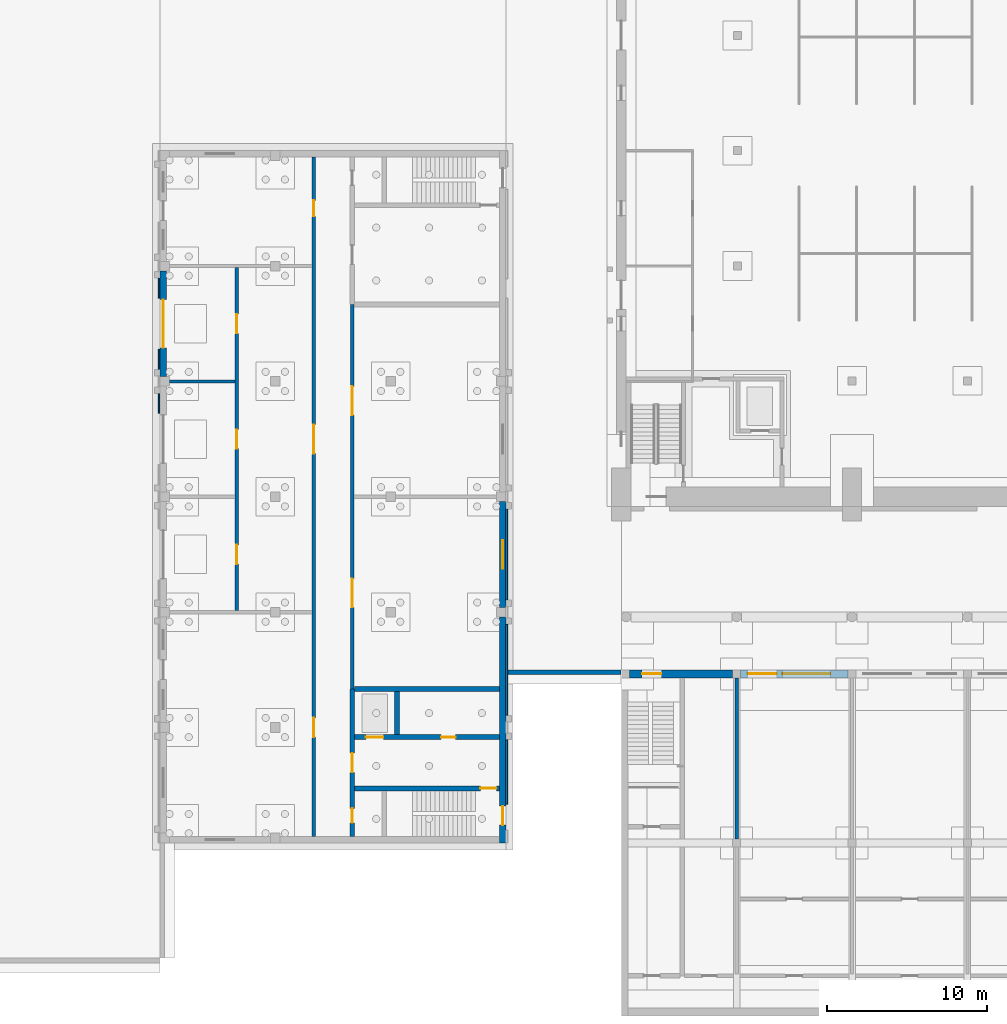
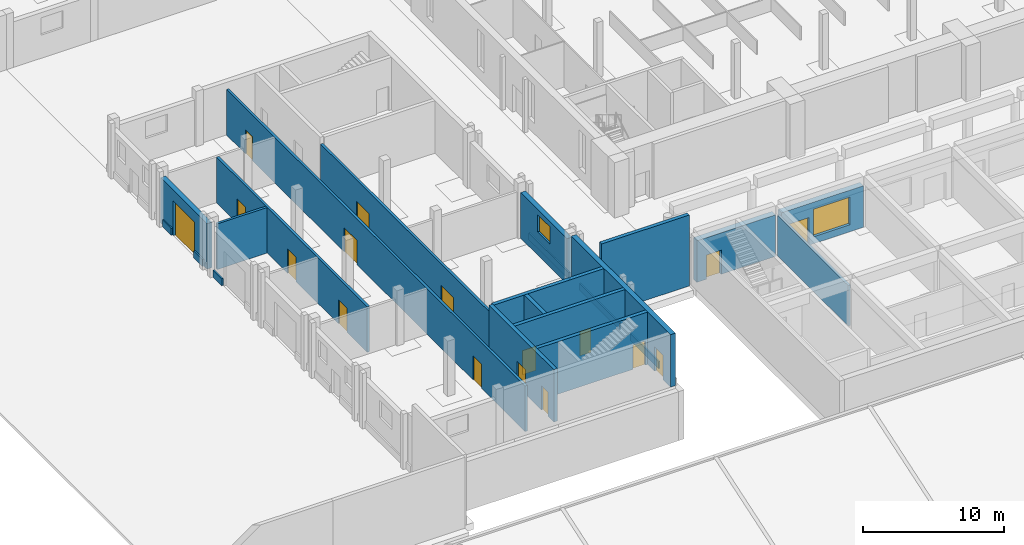
# One storey, part 29 of 73: 22 walls, 17 doors, 2 windows, 19 openings.
"""IFC4 building model written with IfcOpenShell, lengths in metres."""

from ifc_helpers import new_model, si_unit, direction, frame, frame_2d, origin, place, context, subcontext, project, spatial, rectangle, extrude, material, layer, layer_set, type_object, element, fill, save


model = new_model("IFC4")

# Units and contexts
model_context = context("Model", 3, precision=1e-05, world=origin(), true_north=direction((0.0, 1.0)))
body_context = subcontext(model_context, "Body", "Model", "MODEL_VIEW")
ifc_project = project(units=[si_unit("LENGTHUNIT", "METRE"), si_unit("AREAUNIT", "SQUARE_METRE"), si_unit("VOLUMEUNIT", "CUBIC_METRE"), si_unit("PLANEANGLEUNIT", "RADIAN"), si_unit("MASSUNIT", "GRAM", prefix="KILO")], contexts=[model_context])

# Site, building, storey
site_placement = place(None, origin())
site = spatial("IfcSite", under=ifc_project, at=site_placement, CompositionType="ELEMENT")
building_placement = place(site_placement, origin())
building = spatial("IfcBuilding", under=site, at=building_placement, Name="Alderwick Market Hall", CompositionType="ELEMENT")
storey_placement = place(building_placement, origin())
storey = spatial("IfcBuildingStorey", under=building, at=storey_placement, Name="LG", CompositionType="ELEMENT", Elevation=0.0)

# Wall, opening, door
ifc_material_1 = material(Name="Cast stone 5000 psi", Category="masonry")
ifc_layer_1 = layer(ifc_material_1, 0.5)
ifc_layer_set_1 = layer_set([ifc_layer_1], Name="Cast stone 5000 psi")
wall_type_1 = type_object("IfcWallType", Name="A Cast Stone Shopfront Wall 500", PredefinedType="SOLIDWALL", material=ifc_layer_set_1)
wall_1_placement = place(storey_placement, frame((50.89990234375, 39.35009765625, 0.0), z_axis=(0.0, 0.0, 1.0), x_axis=(1.0, 0.0, 0.0)))
wall_1 = element("IfcWall", 1, at=wall_1_placement, inside=storey, type_object=wall_type_1, Name="A.S.wall.009", PredefinedType="SOLIDWALL", context=body_context, shape_type="SweptSolid", body=[
    extrude(rectangle(XDim=6.4501953125, YDim=0.5, at=frame_2d((3.22509765625, 0.0))), origin(), (0.0, 0.0, 1.0), 3.60009765625),
])
opening_1_placement = place(wall_1_placement, frame((0.800048828125, 0.0, 0.0)))
opening_1 = element("IfcOpeningElement", 2, at=opening_1_placement, cuts=wall_1, Name="Opening A-D016", PredefinedType="OPENING", context=body_context, shape_type="SweptSolid", body=[
    extrude(rectangle(XDim=1.199951171875, YDim=2.10009765625, at=frame_2d((0.60009765625, 1.050048828125))), frame((0.0, 0.260009765625, 0.0), z_axis=(0.0, -1.0, 0.0), x_axis=(1.0, 0.0, 0.0)), (0.0, 0.0, 1.0), 0.52001953125),
])
ifc_material_2 = material(Name="Hollow metal door and frame")
door_type_1 = type_object("IfcDoorType", Name="A Door 1200x2100", OperationType="SINGLE_SWING_LEFT", PredefinedType="DOOR", material=ifc_material_2)
door_1_placement = place(opening_1_placement, origin())
door_1 = element("IfcDoor", 3, at=door_1_placement, inside=storey, type_object=door_type_1, Name="Roof Stair A1 door", OperationType="SINGLE_SWING_RIGHT", OverallHeight=2.10009765625, OverallWidth=1.199951171875, PredefinedType="DOOR", context=body_context, shape_type="SweptSolid", body=[
    extrude(rectangle(XDim=1.199951171875, YDim=2.10009765625, at=frame_2d((0.60009765625, 1.050048828125))), frame((0.0, 0.02490234375, 0.0), z_axis=(0.0, -1.0, 0.0), x_axis=(1.0, 0.0, 0.0)), (0.0, 0.0, 1.0), 0.050048828125),
])
fill(opening_1, door_1)

# Wall, openings, door, window
wall_2_placement = place(storey_placement, frame((57.85009765625, 39.35009765625, 0.0), z_axis=(0.0, 0.0, 1.0), x_axis=(1.0, 0.0, 0.0)))
wall_2 = element("IfcWall", 4, at=wall_2_placement, inside=storey, type_object=wall_type_1, Name="A.S.wall.010", PredefinedType="SOLIDWALL", context=body_context, shape_type="SweptSolid", body=[
    extrude(rectangle(XDim=6.699951171875, YDim=0.5, at=frame_2d((3.35009765625, 0.0))), origin(), (0.0, 0.0, 1.0), 3.60009765625),
])
opening_2_placement = place(wall_2_placement, frame((0.449951171875, 0.0, 0.0)))
opening_2 = element("IfcOpeningElement", 5, at=opening_2_placement, cuts=wall_2, Name="Opening A-D018", PredefinedType="OPENING", context=body_context, shape_type="SweptSolid", body=[
    extrude(rectangle(XDim=1.800048828125, YDim=2.39990234375, at=frame_2d((0.89990234375, 1.199951171875))), frame((0.0, 0.260009765625, 0.0), z_axis=(0.0, -1.0, 0.0), x_axis=(1.0, 0.0, 0.0)), (0.0, 0.0, 1.0), 0.52001953125),
])
opening_3_placement = place(wall_2_placement, frame((2.60009765625, 0.0, 0.60009765625)))
opening_3 = element("IfcOpeningElement", 6, at=opening_3_placement, cuts=wall_2, Name="Opening A-W012", PredefinedType="OPENING", context=body_context, shape_type="SweptSolid", body=[
    extrude(rectangle(XDim=3.0, YDim=2.39990234375, at=frame_2d((1.5, 1.199951171875))), frame((0.0, 0.260009765625, 0.0), z_axis=(0.0, -1.0, 0.0), x_axis=(1.0, 0.0, 0.0)), (0.0, 0.0, 1.0), 0.52001953125),
])
ifc_material_3 = material(Name="Aluminium frame and glass", Category="aluminium")
door_type_2 = type_object("IfcDoorType", Name="A Shop Double Door 1800x2400", OperationType="DOUBLE_DOOR_DOUBLE_SWING", PredefinedType="DOOR", material=ifc_material_3)
door_2_placement = place(opening_2_placement, origin())
door_2 = element("IfcDoor", 7, at=door_2_placement, inside=storey, type_object=door_type_2, Name="Cheese Shop entrance", OperationType="DOUBLE_DOOR_DOUBLE_SWING", OverallHeight=2.39990234375, OverallWidth=1.800048828125, PredefinedType="DOOR", context=body_context, shape_type="SweptSolid", body=[
    extrude(rectangle(XDim=1.800048828125, YDim=2.39990234375, at=frame_2d((0.89990234375, 1.199951171875))), frame((0.0, 0.02490234375, 0.0), z_axis=(0.0, -1.0, 0.0), x_axis=(1.0, 0.0, 0.0)), (0.0, 0.0, 1.0), 0.050048828125),
])
fill(opening_2, door_2)
ifc_material_4 = material(Name="Aluminium frame", Category="aluminium")
window_type_1 = type_object("IfcWindowType", Name="A Shopfront Window 3000x2400", PartitioningType="SINGLE_PANEL", PredefinedType="WINDOW", material=ifc_material_4)
window_1_placement = place(opening_3_placement, origin())
window_1 = element("IfcWindow", 8, at=window_1_placement, inside=storey, type_object=window_type_1, Name="Window A-W012", OverallHeight=2.39990234375, OverallWidth=3.0, PartitioningType="SINGLE_PANEL", PredefinedType="WINDOW", context=body_context, shape_type="SweptSolid", body=[
    extrude(rectangle(XDim=3.0, YDim=2.39990234375, at=frame_2d((1.5, 1.199951171875))), frame((0.0, 0.030029296875, 0.0), z_axis=(0.0, -1.0, 0.0), x_axis=(1.0, 0.0, 0.0)), (0.0, 0.0, 1.0), 0.06005859375),
])
fill(opening_3, window_1)

# Walls
ifc_material_5 = material(Name="Concrete masonry 3000 psi", Category="masonry")
ifc_layer_2 = layer(ifc_material_5, 0.199951171875)
ifc_layer_set_2 = layer_set([ifc_layer_2], Name="Concrete masonry 3000 psi")
wall_type_2 = type_object("IfcWallType", Name="A Masonry Partition 200", PredefinedType="PARTITIONING", material=ifc_layer_set_2)
wall_3_placement = place(storey_placement, frame((57.60009765625, 29.050048828125, 0.0), z_axis=(0.0, 0.0, 1.0), x_axis=(0.0, 1.0, 0.0)))
element("IfcWall", 9, at=wall_3_placement, inside=storey, type_object=wall_type_2, Name="A.S.wall.026", PredefinedType="PARTITIONING", context=body_context, shape_type="SweptSolid", body=[
    extrude(rectangle(XDim=10.050048828125, YDim=0.199951171875, at=frame_2d((5.02490234375, 0.0))), origin(), (0.0, 0.0, 1.0), 3.5),
])
ifc_layer_3 = layer(ifc_material_1, 0.1201171875)
ifc_layer_set_3 = layer_set([ifc_layer_3], Name="Cast stone 5000 psi")
wall_type_3 = type_object("IfcWallType", Name="B Cast Stone Base Course 120", PredefinedType="SOLIDWALL", material=ifc_layer_set_3)
for number, where, z_axis, x_axis, name in (
    (10, (21.5400390625, 55.60009765625, 0.0), (0.0, 0.0, 1.0), (0.0, 1.0, 0.0), "B.S.base.W.10"),
    (11, (21.5400390625, 58.35009765625, 0.0), (0.0, 0.0, 1.0), (0.0, 1.0, 0.0), "B.S.base.W.12"),
    (12, (21.5400390625, 62.800048828125, 0.0), (0.0, 0.0, 1.0), (0.0, 1.0, 0.0), "B.S.base.W.13"),
):
    element("IfcWall", number, at=place(storey_placement, frame(where, z_axis=z_axis, x_axis=x_axis)), inside=storey, type_object=wall_type_3, Name=name, PredefinedType="SOLIDWALL", context=body_context, shape_type="SweptSolid", body=[
        extrude(rectangle(XDim=1.25, YDim=0.1201171875, at=frame_2d((0.625, 0.0))), origin(), (0.0, 0.0, 1.0), 0.60009765625),
    ])
wall_4_placement = place(storey_placement, frame((43.260009765625, 31.199951171875, 0.0), z_axis=(0.0, 0.0, 1.0), x_axis=(0.0, 1.0, 0.0)))
element("IfcWall", 13, at=wall_4_placement, inside=storey, type_object=wall_type_3, Name="B.S.base.E.01", PredefinedType="SOLIDWALL", context=body_context, shape_type="SweptSolid", body=[
    extrude(rectangle(XDim=4.050048828125, YDim=0.1201171875, at=frame_2d((2.02490234375, 0.0))), origin(), (0.0, 0.0, 1.0), 0.60009765625),
])
for number, where, z_axis, x_axis, name in (
    (14, (43.260009765625, 36.75, 0.0), (0.0, 0.0, 1.0), (0.0, 1.0, 0.0), "B.S.base.E.03"),
    (15, (43.260009765625, 43.949951171875, 0.0), (0.0, 0.0, 1.0), (0.0, 1.0, 0.0), "B.S.base.E.05"),
):
    element("IfcWall", number, at=place(storey_placement, frame(where, z_axis=z_axis, x_axis=x_axis)), inside=storey, type_object=wall_type_3, Name=name, PredefinedType="SOLIDWALL", context=body_context, shape_type="SweptSolid", body=[
        extrude(rectangle(XDim=5.699951171875, YDim=0.1201171875, at=frame_2d((2.85009765625, 0.0))), origin(), (0.0, 0.0, 1.0), 0.60009765625),
    ])

# Wall, opening, door
ifc_layer_4 = layer(ifc_material_1, 0.39990234375)
ifc_layer_set_4 = layer_set([ifc_layer_4], Name="Cast stone 5000 psi")
wall_type_4 = type_object("IfcWallType", Name="B Cast Stone Base Wall 400", PredefinedType="SOLIDWALL", material=ifc_layer_set_4)
wall_5_placement = place(storey_placement, frame((21.800048828125, 57.89990234375, 0.0), z_axis=(0.0, 0.0, 1.0), x_axis=(0.0, 1.0, 0.0)))
wall_5 = element("IfcWall", 16, at=wall_5_placement, inside=storey, type_object=wall_type_4, Name="B.S.wall.LG.021", PredefinedType="SOLIDWALL", context=body_context, shape_type="SweptSolid", body=[
    extrude(rectangle(XDim=6.60009765625, YDim=0.39990234375, at=frame_2d((3.300048828125, 0.0))), origin(), (0.0, 0.0, 1.0), 3.949951171875),
])
opening_4_placement = place(wall_5_placement, frame((1.800048828125, 0.0, 0.0)))
opening_4 = element("IfcOpeningElement", 17, at=opening_4_placement, cuts=wall_5, Name="Opening B-D013", PredefinedType="OPENING", context=body_context, shape_type="SweptSolid", body=[
    extrude(rectangle(XDim=3.0, YDim=3.0, at=frame_2d((1.5, 1.5))), frame((0.0, 0.2099609375, 0.0), z_axis=(0.0, -1.0, 0.0), x_axis=(1.0, 0.0, 0.0)), (0.0, 0.0, 1.0), 0.419921875),
])
ifc_material_6 = material(Name="Insulated steel sectional door", Category="steel")
door_type_3 = type_object("IfcDoorType", Name="B Sectional Dock Door 3000x3000", OperationType="ROLLINGUP", PredefinedType="DOOR", material=ifc_material_6)
door_3_placement = place(opening_4_placement, origin())
door_3 = element("IfcDoor", 18, at=door_3_placement, inside=storey, type_object=door_type_3, Name="Loading dock door", OperationType="ROLLINGUP", OverallHeight=3.0, OverallWidth=3.0, PredefinedType="DOOR", context=body_context, shape_type="SweptSolid", body=[
    extrude(rectangle(XDim=3.0, YDim=3.0, at=frame_2d((1.5, 1.5))), frame((0.0, 0.02490234375, 0.0), z_axis=(0.0, -1.0, 0.0), x_axis=(1.0, 0.0, 0.0)), (0.0, 0.0, 1.0), 0.050048828125),
])
fill(opening_4, door_3)

# Wall, opening, window
wall_6_placement = place(storey_placement, frame((43.0, 43.5, 0.0), z_axis=(0.0, 0.0, 1.0), x_axis=(0.0, 1.0, 0.0)))
wall_6 = element("IfcWall", 19, at=wall_6_placement, inside=storey, type_object=wall_type_4, Name="B.S.wall.LG.032", PredefinedType="SOLIDWALL", context=body_context, shape_type="SweptSolid", body=[
    extrude(rectangle(XDim=6.60009765625, YDim=0.39990234375, at=frame_2d((3.300048828125, 0.0))), origin(), (0.0, 0.0, 1.0), 3.949951171875),
])
opening_5_placement = place(wall_6_placement, frame((2.39990234375, 0.0, 2.0)))
opening_5 = element("IfcOpeningElement", 20, at=opening_5_placement, cuts=wall_6, Name="Opening B-W072", PredefinedType="OPENING", context=body_context, shape_type="SweptSolid", body=[
    extrude(rectangle(XDim=1.800048828125, YDim=1.5, at=frame_2d((0.89990234375, 0.75))), frame((0.0, 0.2099609375, 0.0), z_axis=(0.0, -1.0, 0.0), x_axis=(1.0, 0.0, 0.0)), (0.0, 0.0, 1.0), 0.419921875),
])
window_type_2 = type_object("IfcWindowType", Name="B Window 1800x1500", PartitioningType="SINGLE_PANEL", PredefinedType="WINDOW", material=ifc_material_4)
window_2_placement = place(opening_5_placement, origin())
window_2 = element("IfcWindow", 21, at=window_2_placement, inside=storey, type_object=window_type_2, Name="Window B-W072", OverallHeight=1.5, OverallWidth=1.800048828125, PartitioningType="SINGLE_PANEL", PredefinedType="WINDOW", context=body_context, shape_type="SweptSolid", body=[
    extrude(rectangle(XDim=1.800048828125, YDim=1.5, at=frame_2d((0.89990234375, 0.75))), frame((0.0, 0.030029296875, 0.0), z_axis=(0.0, -1.0, 0.0), x_axis=(1.0, 0.0, 0.0)), (0.0, 0.0, 1.0), 0.06005859375),
])
fill(opening_5, window_2)

# Wall, openings, doors
ifc_material_7 = material(Name="Insulated metal panel, ASTM A653 Grade 50 steel faced", Category="steel")
ifc_layer_5 = layer(ifc_material_7, 0.199951171875)
ifc_layer_set_5 = layer_set([ifc_layer_5], Name="Insulated metal panel, ASTM A653 Grade 50 steel faced")
wall_type_5 = type_object("IfcWallType", Name="B Insulated Cold Store Wall 200", PredefinedType="PARTITIONING", material=ifc_layer_set_5)
wall_7_placement = place(storey_placement, frame((33.60009765625, 38.39990234375, 0.0), z_axis=(0.0, 0.0, 1.0), x_axis=(0.0, 1.0, 0.0)))
wall_7 = element("IfcWall", 22, at=wall_7_placement, inside=storey, type_object=wall_type_5, Name="B.S.wall.LG.026", PredefinedType="PARTITIONING", context=body_context, shape_type="SweptSolid", body=[
    extrude(rectangle(XDim=24.0, YDim=0.199951171875, at=frame_2d((12.0, 0.0))), origin(), (0.0, 0.0, 1.0), 3.949951171875),
])
opening_6_placement = place(wall_7_placement, frame((5.10009765625, 0.0, 0.0)))
opening_6 = element("IfcOpeningElement", 23, at=opening_6_placement, cuts=wall_7, Name="Opening B-D088", PredefinedType="OPENING", context=body_context, shape_type="SweptSolid", body=[
    extrude(rectangle(XDim=1.800048828125, YDim=2.10009765625, at=frame_2d((0.89990234375, 1.050048828125))), frame((0.0, 0.10986328125, 0.0), z_axis=(0.0, -1.0, 0.0), x_axis=(1.0, 0.0, 0.0)), (0.0, 0.0, 1.0), 0.219970703125),
])
opening_7_placement = place(wall_7_placement, frame((17.10009765625, 0.0, 0.0)))
opening_7 = element("IfcOpeningElement", 24, at=opening_7_placement, cuts=wall_7, Name="Opening B-D089", PredefinedType="OPENING", context=body_context, shape_type="SweptSolid", body=[
    extrude(rectangle(XDim=1.800048828125, YDim=2.10009765625, at=frame_2d((0.89990234375, 1.050048828125))), frame((0.0, 0.10986328125, 0.0), z_axis=(0.0, -1.0, 0.0), x_axis=(1.0, 0.0, 0.0)), (0.0, 0.0, 1.0), 0.219970703125),
])
door_type_4 = type_object("IfcDoorType", Name="B Double Door 1800x2100", OperationType="DOUBLE_DOOR_DOUBLE_SWING", PredefinedType="DOOR", material=ifc_material_2)
door_4_placement = place(opening_6_placement, origin())
door_4 = element("IfcDoor", 25, at=door_4_placement, inside=storey, type_object=door_type_4, Name="Dry Store door", OperationType="DOUBLE_DOOR_DOUBLE_SWING", OverallHeight=2.10009765625, OverallWidth=1.800048828125, PredefinedType="DOOR", context=body_context, shape_type="SweptSolid", body=[
    extrude(rectangle(XDim=1.800048828125, YDim=2.10009765625, at=frame_2d((0.89990234375, 1.050048828125))), frame((0.0, 0.02490234375, 0.0), z_axis=(0.0, -1.0, 0.0), x_axis=(1.0, 0.0, 0.0)), (0.0, 0.0, 1.0), 0.050048828125),
])
fill(opening_6, door_4)
door_5_placement = place(opening_7_placement, origin())
door_5 = element("IfcDoor", 26, at=door_5_placement, inside=storey, type_object=door_type_4, Name="Cold Store door", OperationType="DOUBLE_DOOR_DOUBLE_SWING", OverallHeight=2.10009765625, OverallWidth=1.800048828125, PredefinedType="DOOR", context=body_context, shape_type="SweptSolid", body=[
    extrude(rectangle(XDim=1.800048828125, YDim=2.10009765625, at=frame_2d((0.89990234375, 1.050048828125))), frame((0.0, 0.02490234375, 0.0), z_axis=(0.0, -1.0, 0.0), x_axis=(1.0, 0.0, 0.0)), (0.0, 0.0, 1.0), 0.050048828125),
])
fill(opening_7, door_5)

# Wall
ifc_layer_6 = layer(ifc_material_5, 0.199951171875)
ifc_layer_set_6 = layer_set([ifc_layer_6], Name="Concrete masonry 3000 psi")
wall_type_6 = type_object("IfcWallType", Name="B Masonry Partition 200", PredefinedType="PARTITIONING", material=ifc_layer_set_6)
wall_8_placement = place(storey_placement, frame((22.199951171875, 57.60009765625, 0.0), z_axis=(0.0, 0.0, 1.0), x_axis=(1.0, 0.0, 0.0)))
element("IfcWall", 27, at=wall_8_placement, inside=storey, type_object=wall_type_6, Name="B.S.wall.LG.010", PredefinedType="PARTITIONING", context=body_context, shape_type="SweptSolid", body=[
    extrude(rectangle(XDim=4.10009765625, YDim=0.199951171875, at=frame_2d((2.050048828125, 0.0))), origin(), (0.0, 0.0, 1.0), 3.949951171875),
])

# Wall, openings, doors
wall_9_placement = place(storey_placement, frame((26.39990234375, 43.300048828125, 0.0), z_axis=(0.0, 0.0, 1.0), x_axis=(0.0, 1.0, 0.0)))
wall_9 = element("IfcWall", 28, at=wall_9_placement, inside=storey, type_object=wall_type_6, Name="B.S.wall.LG.023", PredefinedType="PARTITIONING", context=body_context, shape_type="SweptSolid", body=[
    extrude(rectangle(XDim=21.39990234375, YDim=0.199951171875, at=frame_2d((10.699951171875, 0.0))), origin(), (0.0, 0.0, 1.0), 3.949951171875),
])
opening_8_placement = place(wall_9_placement, frame((2.89990234375, 0.0, 0.0)))
opening_8 = element("IfcOpeningElement", 29, at=opening_8_placement, cuts=wall_9, Name="Opening B-D084", PredefinedType="OPENING", context=body_context, shape_type="SweptSolid", body=[
    extrude(rectangle(XDim=1.199951171875, YDim=2.10009765625, at=frame_2d((0.60009765625, 1.050048828125))), frame((0.0, 0.10986328125, 0.0), z_axis=(0.0, -1.0, 0.0), x_axis=(1.0, 0.0, 0.0)), (0.0, 0.0, 1.0), 0.219970703125),
])
opening_9_placement = place(wall_9_placement, frame((10.10009765625, 0.0, 0.0)))
opening_9 = element("IfcOpeningElement", 30, at=opening_9_placement, cuts=wall_9, Name="Opening B-D085", PredefinedType="OPENING", context=body_context, shape_type="SweptSolid", body=[
    extrude(rectangle(XDim=1.199951171875, YDim=2.10009765625, at=frame_2d((0.60009765625, 1.050048828125))), frame((0.0, 0.10986328125, 0.0), z_axis=(0.0, -1.0, 0.0), x_axis=(1.0, 0.0, 0.0)), (0.0, 0.0, 1.0), 0.219970703125),
])
opening_10_placement = place(wall_9_placement, frame((17.300048828125, 0.0, 0.0)))
opening_10 = element("IfcOpeningElement", 31, at=opening_10_placement, cuts=wall_9, Name="Opening B-D086", PredefinedType="OPENING", context=body_context, shape_type="SweptSolid", body=[
    extrude(rectangle(XDim=1.199951171875, YDim=2.10009765625, at=frame_2d((0.60009765625, 1.050048828125))), frame((0.0, 0.10986328125, 0.0), z_axis=(0.0, -1.0, 0.0), x_axis=(1.0, 0.0, 0.0)), (0.0, 0.0, 1.0), 0.219970703125),
])
door_type_5 = type_object("IfcDoorType", Name="B Door 1200x2100", OperationType="SINGLE_SWING_LEFT", PredefinedType="DOOR", material=ifc_material_2)
door_6_placement = place(opening_8_placement, origin())
door_6 = element("IfcDoor", 32, at=door_6_placement, inside=storey, type_object=door_type_5, Name="Dock to receiving door", OperationType="SINGLE_SWING_RIGHT", OverallHeight=2.10009765625, OverallWidth=1.199951171875, PredefinedType="DOOR", context=body_context, shape_type="SweptSolid", body=[
    extrude(rectangle(XDim=1.199951171875, YDim=2.10009765625, at=frame_2d((0.60009765625, 1.050048828125))), frame((0.0, 0.02490234375, 0.0), z_axis=(0.0, -1.0, 0.0), x_axis=(1.0, 0.0, 0.0)), (0.0, 0.0, 1.0), 0.050048828125),
])
fill(opening_8, door_6)
door_7_placement = place(opening_9_placement, origin())
door_7 = element("IfcDoor", 33, at=door_7_placement, inside=storey, type_object=door_type_5, Name="Dock to receiving door", OperationType="SINGLE_SWING_LEFT", OverallHeight=2.10009765625, OverallWidth=1.199951171875, PredefinedType="DOOR", context=body_context, shape_type="SweptSolid", body=[
    extrude(rectangle(XDim=1.199951171875, YDim=2.10009765625, at=frame_2d((0.60009765625, 1.050048828125))), frame((0.0, 0.02490234375, 0.0), z_axis=(0.0, -1.0, 0.0), x_axis=(1.0, 0.0, 0.0)), (0.0, 0.0, 1.0), 0.050048828125),
])
fill(opening_9, door_7)
door_8_placement = place(opening_10_placement, origin())
door_8 = element("IfcDoor", 34, at=door_8_placement, inside=storey, type_object=door_type_5, Name="Dock to receiving door", OperationType="SINGLE_SWING_RIGHT", OverallHeight=2.10009765625, OverallWidth=1.199951171875, PredefinedType="DOOR", context=body_context, shape_type="SweptSolid", body=[
    extrude(rectangle(XDim=1.199951171875, YDim=2.10009765625, at=frame_2d((0.60009765625, 1.050048828125))), frame((0.0, 0.02490234375, 0.0), z_axis=(0.0, -1.0, 0.0), x_axis=(1.0, 0.0, 0.0)), (0.0, 0.0, 1.0), 0.050048828125),
])
fill(opening_10, door_8)

wall_10_placement = place(storey_placement, frame((31.199951171875, 29.199951171875, 0.0), z_axis=(0.0, 0.0, 1.0), x_axis=(0.0, 1.0, 0.0)))
wall_10 = element("IfcWall", 35, at=wall_10_placement, inside=storey, type_object=wall_type_6, Name="B.S.wall.LG.024", PredefinedType="PARTITIONING", context=body_context, shape_type="SweptSolid", body=[
    extrude(rectangle(XDim=42.400146484375, YDim=0.199951171875, at=frame_2d((21.2001953125, 0.0))), origin(), (0.0, 0.0, 1.0), 3.949951171875),
])
opening_11_placement = place(wall_10_placement, frame((6.199951171875, 0.0, 0.0)))
opening_11 = element("IfcOpeningElement", 36, at=opening_11_placement, cuts=wall_10, Name="Opening B-D082", PredefinedType="OPENING", context=body_context, shape_type="SweptSolid", body=[
    extrude(rectangle(XDim=1.199951171875, YDim=2.10009765625, at=frame_2d((0.60009765625, 1.050048828125))), frame((0.0, 0.10986328125, 0.0), z_axis=(0.0, -1.0, 0.0), x_axis=(1.0, 0.0, 0.0)), (0.0, 0.0, 1.0), 0.219970703125),
])
opening_12_placement = place(wall_10_placement, frame((23.89990234375, 0.0, 0.0)))
opening_12 = element("IfcOpeningElement", 37, at=opening_12_placement, cuts=wall_10, Name="Opening B-D083", PredefinedType="OPENING", context=body_context, shape_type="SweptSolid", body=[
    extrude(rectangle(XDim=1.800048828125, YDim=2.10009765625, at=frame_2d((0.89990234375, 1.050048828125))), frame((0.0, 0.10986328125, 0.0), z_axis=(0.0, -1.0, 0.0), x_axis=(1.0, 0.0, 0.0)), (0.0, 0.0, 1.0), 0.219970703125),
])
opening_13_placement = place(wall_10_placement, frame((38.699951171875, 0.0, 0.0)))
opening_13 = element("IfcOpeningElement", 38, at=opening_13_placement, cuts=wall_10, Name="Opening B-D087", PredefinedType="OPENING", context=body_context, shape_type="SweptSolid", body=[
    extrude(rectangle(XDim=1.0, YDim=2.10009765625, at=frame_2d((0.5, 1.050048828125))), frame((0.0, 0.10986328125, 0.0), z_axis=(0.0, -1.0, 0.0), x_axis=(1.0, 0.0, 0.0)), (0.0, 0.0, 1.0), 0.219970703125),
])
door_type_6 = type_object("IfcDoorType", Name="B Door 1000x2100", OperationType="SINGLE_SWING_LEFT", PredefinedType="DOOR", material=ifc_material_2)
door_9_placement = place(opening_13_placement, origin())
door_9 = element("IfcDoor", 39, at=door_9_placement, inside=storey, type_object=door_type_6, Name="Waste Room door", OperationType="SINGLE_SWING_LEFT", OverallHeight=2.10009765625, OverallWidth=1.0, PredefinedType="DOOR", context=body_context, shape_type="SweptSolid", body=[
    extrude(rectangle(XDim=1.0, YDim=2.10009765625, at=frame_2d((0.5, 1.050048828125))), frame((0.0, 0.02490234375, 0.0), z_axis=(0.0, -1.0, 0.0), x_axis=(1.0, 0.0, 0.0)), (0.0, 0.0, 1.0), 0.050048828125),
])
fill(opening_13, door_9)
door_10_placement = place(opening_12_placement, origin())
door_10 = element("IfcDoor", 40, at=door_10_placement, inside=storey, type_object=door_type_4, Name="Goods Receiving door", OperationType="DOUBLE_DOOR_DOUBLE_SWING", OverallHeight=2.10009765625, OverallWidth=1.800048828125, PredefinedType="DOOR", context=body_context, shape_type="SweptSolid", body=[
    extrude(rectangle(XDim=1.800048828125, YDim=2.10009765625, at=frame_2d((0.89990234375, 1.050048828125))), frame((0.0, 0.02490234375, 0.0), z_axis=(0.0, -1.0, 0.0), x_axis=(1.0, 0.0, 0.0)), (0.0, 0.0, 1.0), 0.050048828125),
])
fill(opening_12, door_10)
ifc_material_8 = material(Name="Hollow metal fire door and frame")
door_type_7 = type_object("IfcDoorType", Name="B Fire Door 1200x2100", OperationType="SINGLE_SWING_LEFT", PredefinedType="DOOR", material=ifc_material_8)
door_11_placement = place(opening_11_placement, origin())
door_11 = element("IfcDoor", 41, at=door_11_placement, inside=storey, type_object=door_type_7, Name="Plant Room door", OperationType="SINGLE_SWING_RIGHT", OverallHeight=2.10009765625, OverallWidth=1.199951171875, PredefinedType="DOOR", context=body_context, shape_type="SweptSolid", body=[
    extrude(rectangle(XDim=1.199951171875, YDim=2.10009765625, at=frame_2d((0.60009765625, 1.050048828125))), frame((0.0, 0.02490234375, 0.0), z_axis=(0.0, -1.0, 0.0), x_axis=(1.0, 0.0, 0.0)), (0.0, 0.0, 1.0), 0.050048828125),
])
fill(opening_11, door_11)

# Wall, opening, door
ifc_material_9 = material(Name="Concrete 5000 psi (f'c 35 MPa)", Category="concrete")
ifc_layer_7 = layer(ifc_material_9, 0.39990234375)
ifc_layer_set_7 = layer_set([ifc_layer_7], Name="Concrete 5000 psi (f'c 35 MPa)")
wall_type_7 = type_object("IfcWallType", Name="B RC Core Facade Wall 400", PredefinedType="SHEAR", material=ifc_layer_set_7)
wall_11_placement = place(storey_placement, frame((43.0, 28.800048828125, 0.0), z_axis=(0.0, 0.0, 1.0), x_axis=(0.0, 1.0, 0.0)))
wall_11 = element("IfcWall", 42, at=wall_11_placement, inside=storey, type_object=wall_type_7, Name="B.S.wall.LG.031", PredefinedType="SHEAR", context=body_context, shape_type="SweptSolid", body=[
    extrude(rectangle(XDim=14.099853515625, YDim=0.39990234375, at=frame_2d((7.0498046875, 0.0))), origin(), (0.0, 0.0, 1.0), 4.550048828125),
])
opening_14_placement = place(wall_11_placement, frame((2.300048828125, 0.0, 0.0), z_axis=(0.0, 0.0, 1.0), x_axis=(-1.0, 0.0, 0.0)))
opening_14 = element("IfcOpeningElement", 43, at=opening_14_placement, cuts=wall_11, Name="Opening B-D015", PredefinedType="OPENING", context=body_context, shape_type="SweptSolid", body=[
    extrude(rectangle(XDim=1.199951171875, YDim=2.10009765625, at=frame_2d((0.60009765625, 1.050048828125))), frame((0.0, 0.2099609375, 0.0), z_axis=(0.0, -1.0, 0.0), x_axis=(1.0, 0.0, 0.0)), (0.0, 0.0, 1.0), 0.419921875),
])
door_12_placement = place(opening_14_placement, origin())
door_12 = element("IfcDoor", 44, at=door_12_placement, inside=storey, type_object=door_type_7, Name="Stair S-1 exit door", OperationType="SINGLE_SWING_LEFT", OverallHeight=2.10009765625, OverallWidth=1.199951171875, PredefinedType="DOOR", context=body_context, shape_type="SweptSolid", body=[
    extrude(rectangle(XDim=1.199951171875, YDim=2.10009765625, at=frame_2d((0.60009765625, 1.050048828125))), frame((0.0, 0.02490234375, 0.0), z_axis=(0.0, -1.0, 0.0), x_axis=(1.0, 0.0, 0.0)), (0.0, 0.0, 1.0), 0.050048828125),
])
fill(opening_14, door_12)

ifc_layer_8 = layer(ifc_material_9, 0.300048828125)
ifc_layer_set_8 = layer_set([ifc_layer_8], Name="Concrete 5000 psi (f'c 35 MPa)")
wall_type_8 = type_object("IfcWallType", Name="B RC Core Wall 300", PredefinedType="SHEAR", material=ifc_layer_set_8)
wall_12_placement = place(storey_placement, frame((33.75, 32.199951171875, 0.0), z_axis=(0.0, 0.0, 1.0), x_axis=(1.0, 0.0, 0.0)))
wall_12 = element("IfcWall", 45, at=wall_12_placement, inside=storey, type_object=wall_type_8, Name="B.S.wall.LG.002", PredefinedType="SHEAR", context=body_context, shape_type="SweptSolid", body=[
    extrude(rectangle(XDim=9.050048828125, YDim=0.300048828125, at=frame_2d((4.52490234375, 0.0))), origin(), (0.0, 0.0, 1.0), 4.550048828125),
])
opening_15_placement = place(wall_12_placement, frame((7.85009765625, 0.0, 0.0)))
opening_15 = element("IfcOpeningElement", 46, at=opening_15_placement, cuts=wall_12, Name="Opening B-D090", PredefinedType="OPENING", context=body_context, shape_type="SweptSolid", body=[
    extrude(rectangle(XDim=1.0, YDim=2.10009765625, at=frame_2d((0.5, 1.050048828125))), frame((0.0, 0.159912109375, 0.0), z_axis=(0.0, -1.0, 0.0), x_axis=(1.0, 0.0, 0.0)), (0.0, 0.0, 1.0), 0.320068359375),
])
door_type_8 = type_object("IfcDoorType", Name="B Fire Door 1000x2100", OperationType="SINGLE_SWING_LEFT", PredefinedType="DOOR", material=ifc_material_8)
door_13_placement = place(opening_15_placement, origin())
door_13 = element("IfcDoor", 47, at=door_13_placement, inside=storey, type_object=door_type_8, Name="Stair S-1 lobby door", OperationType="SINGLE_SWING_RIGHT", OverallHeight=2.10009765625, OverallWidth=1.0, PredefinedType="DOOR", context=body_context, shape_type="SweptSolid", body=[
    extrude(rectangle(XDim=1.0, YDim=2.10009765625, at=frame_2d((0.5, 1.050048828125))), frame((0.0, 0.02490234375, 0.0), z_axis=(0.0, -1.0, 0.0), x_axis=(1.0, 0.0, 0.0)), (0.0, 0.0, 1.0), 0.050048828125),
])
fill(opening_15, door_13)

# Wall, openings, doors
wall_13_placement = place(storey_placement, frame((33.75, 35.39990234375, 0.0), z_axis=(0.0, 0.0, 1.0), x_axis=(1.0, 0.0, 0.0)))
wall_13 = element("IfcWall", 48, at=wall_13_placement, inside=storey, type_object=wall_type_8, Name="B.S.wall.LG.003", PredefinedType="SHEAR", context=body_context, shape_type="SweptSolid", body=[
    extrude(rectangle(XDim=9.050048828125, YDim=0.300048828125, at=frame_2d((4.52490234375, 0.0))), origin(), (0.0, 0.0, 1.0), 4.550048828125),
])
opening_16_placement = place(wall_13_placement, frame((0.699951171875, 0.0, 0.0)))
opening_16 = element("IfcOpeningElement", 49, at=opening_16_placement, cuts=wall_13, Name="Opening B-D093", PredefinedType="OPENING", context=body_context, shape_type="SweptSolid", body=[
    extrude(rectangle(XDim=1.10009765625, YDim=2.10009765625, at=frame_2d((0.550048828125, 1.050048828125))), frame((0.0, 0.159912109375, 0.0), z_axis=(0.0, -1.0, 0.0), x_axis=(1.0, 0.0, 0.0)), (0.0, 0.0, 1.0), 0.320068359375),
])
opening_17_placement = place(wall_13_placement, frame((5.39990234375, 0.0, 0.0)))
opening_17 = element("IfcOpeningElement", 50, at=opening_17_placement, cuts=wall_13, Name="Opening B-D094", PredefinedType="OPENING", context=body_context, shape_type="SweptSolid", body=[
    extrude(rectangle(XDim=0.89990234375, YDim=2.10009765625, at=frame_2d((0.449951171875, 1.050048828125))), frame((0.0, 0.159912109375, 0.0), z_axis=(0.0, -1.0, 0.0), x_axis=(1.0, 0.0, 0.0)), (0.0, 0.0, 1.0), 0.320068359375),
])
door_type_9 = type_object("IfcDoorType", Name="B Door 900x2100", OperationType="SINGLE_SWING_LEFT", PredefinedType="DOOR", material=ifc_material_2)
door_14_placement = place(opening_17_placement, origin())
door_14 = element("IfcDoor", 51, at=door_14_placement, inside=storey, type_object=door_type_9, Name="Cleaners store door", OperationType="SINGLE_SWING_RIGHT", OverallHeight=2.10009765625, OverallWidth=0.89990234375, PredefinedType="DOOR", context=body_context, shape_type="SweptSolid", body=[
    extrude(rectangle(XDim=0.89990234375, YDim=2.10009765625, at=frame_2d((0.449951171875, 1.050048828125))), frame((0.0, 0.02490234375, 0.0), z_axis=(0.0, -1.0, 0.0), x_axis=(1.0, 0.0, 0.0)), (0.0, 0.0, 1.0), 0.050048828125),
])
fill(opening_17, door_14)
ifc_material_10 = material(Name="Stainless steel landing door", Category="steel")
door_type_10 = type_object("IfcDoorType", Name="B Lift Landing Door 1100x2100", OperationType="SLIDING_TO_LEFT", PredefinedType="DOOR", material=ifc_material_10)
door_15_placement = place(opening_16_placement, origin())
door_15 = element("IfcDoor", 52, at=door_15_placement, inside=storey, type_object=door_type_10, Name="Lift S-1 landing door LG", OperationType="SLIDING_TO_LEFT", OverallHeight=2.10009765625, OverallWidth=1.10009765625, PredefinedType="DOOR", context=body_context, shape_type="SweptSolid", body=[
    extrude(rectangle(XDim=1.10009765625, YDim=2.10009765625, at=frame_2d((0.550048828125, 1.050048828125))), frame((0.0, 0.02490234375, 0.0), z_axis=(0.0, -1.0, 0.0), x_axis=(1.0, 0.0, 0.0)), (0.0, 0.0, 1.0), 0.050048828125),
])
fill(opening_16, door_15)

# Wall
wall_14_placement = place(storey_placement, frame((33.75, 38.39990234375, 0.0), z_axis=(0.0, 0.0, 1.0), x_axis=(1.0, 0.0, 0.0)))
element("IfcWall", 53, at=wall_14_placement, inside=storey, type_object=wall_type_8, Name="B.S.wall.LG.004", PredefinedType="SHEAR", context=body_context, shape_type="SweptSolid", body=[
    extrude(rectangle(XDim=9.050048828125, YDim=0.300048828125, at=frame_2d((4.52490234375, 0.0))), origin(), (0.0, 0.0, 1.0), 4.550048828125),
])

# Wall, openings, doors
wall_15_placement = place(storey_placement, frame((33.60009765625, 29.199951171875, 0.0), z_axis=(0.0, 0.0, 1.0), x_axis=(0.0, 1.0, 0.0)))
wall_15 = element("IfcWall", 54, at=wall_15_placement, inside=storey, type_object=wall_type_8, Name="B.S.wall.LG.025", PredefinedType="SHEAR", context=body_context, shape_type="SweptSolid", body=[
    extrude(rectangle(XDim=9.199951171875, YDim=0.300048828125, at=frame_2d((4.60009765625, 0.0))), origin(), (0.0, 0.0, 1.0), 4.550048828125),
])
opening_18_placement = place(wall_15_placement, frame((4.0, 0.0, 0.0)))
opening_18 = element("IfcOpeningElement", 55, at=opening_18_placement, cuts=wall_15, Name="Opening B-D091", PredefinedType="OPENING", context=body_context, shape_type="SweptSolid", body=[
    extrude(rectangle(XDim=1.199951171875, YDim=2.10009765625, at=frame_2d((0.60009765625, 1.050048828125))), frame((0.0, 0.159912109375, 0.0), z_axis=(0.0, -1.0, 0.0), x_axis=(1.0, 0.0, 0.0)), (0.0, 0.0, 1.0), 0.320068359375),
])
opening_19_placement = place(wall_15_placement, frame((0.85009765625, 0.0, 0.0)))
opening_19 = element("IfcOpeningElement", 56, at=opening_19_placement, cuts=wall_15, Name="Opening B-D092", PredefinedType="OPENING", context=body_context, shape_type="SweptSolid", body=[
    extrude(rectangle(XDim=0.89990234375, YDim=2.10009765625, at=frame_2d((0.449951171875, 1.050048828125))), frame((0.0, 0.159912109375, 0.0), z_axis=(0.0, -1.0, 0.0), x_axis=(1.0, 0.0, 0.0)), (0.0, 0.0, 1.0), 0.320068359375),
])
door_16_placement = place(opening_18_placement, origin())
door_16 = element("IfcDoor", 57, at=door_16_placement, inside=storey, type_object=door_type_7, Name="Lobby S-1 corridor door", OperationType="SINGLE_SWING_LEFT", OverallHeight=2.10009765625, OverallWidth=1.199951171875, PredefinedType="DOOR", context=body_context, shape_type="SweptSolid", body=[
    extrude(rectangle(XDim=1.199951171875, YDim=2.10009765625, at=frame_2d((0.60009765625, 1.050048828125))), frame((0.0, 0.02490234375, 0.0), z_axis=(0.0, -1.0, 0.0), x_axis=(1.0, 0.0, 0.0)), (0.0, 0.0, 1.0), 0.050048828125),
])
fill(opening_18, door_16)
door_type_11 = type_object("IfcDoorType", Name="B Fire Door 900x2100", OperationType="SINGLE_SWING_LEFT", PredefinedType="DOOR", material=ifc_material_8)
door_17_placement = place(opening_19_placement, origin())
door_17 = element("IfcDoor", 58, at=door_17_placement, inside=storey, type_object=door_type_11, Name="Riser S-1 access door", OperationType="SINGLE_SWING_RIGHT", OverallHeight=2.10009765625, OverallWidth=0.89990234375, PredefinedType="DOOR", context=body_context, shape_type="SweptSolid", body=[
    extrude(rectangle(XDim=0.89990234375, YDim=2.10009765625, at=frame_2d((0.449951171875, 1.050048828125))), frame((0.0, 0.02490234375, 0.0), z_axis=(0.0, -1.0, 0.0), x_axis=(1.0, 0.0, 0.0)), (0.0, 0.0, 1.0), 0.050048828125),
])
fill(opening_19, door_17)

# Walls
wall_16_placement = place(storey_placement, frame((36.39990234375, 35.550048828125, -1.199951171875), z_axis=(0.0, 0.0, 1.0), x_axis=(0.0, 1.0, 0.0)))
element("IfcWall", 59, at=wall_16_placement, inside=storey, type_object=wall_type_8, Name="B.S.wall.LG.030", PredefinedType="SHEAR", context=body_context, shape_type="SweptSolid", body=[
    extrude(rectangle(XDim=2.699951171875, YDim=0.300048828125, at=frame_2d((1.35009765625, 0.0))), origin(), (0.0, 0.0, 1.0), 5.75),
])
ifc_layer_9 = layer(ifc_material_9, 0.300048828125)
ifc_layer_set_9 = layer_set([ifc_layer_9], Name="Concrete 5000 psi (f'c 35 MPa)")
wall_type_9 = type_object("IfcWallType", Name="S Retaining Wall 300", PredefinedType="SOLIDWALL", material=ifc_layer_set_9)
wall_17_placement = place(storey_placement, frame((43.2099609375, 39.449951171875, -0.25), z_axis=(0.0, 0.0, 1.0), x_axis=(1.0, 0.0, 0.0)))
element("IfcWall", 60, at=wall_17_placement, inside=storey, type_object=wall_type_9, Name="Retaining wall 08a", PredefinedType="SOLIDWALL", context=body_context, shape_type="SweptSolid", body=[
    extrude(rectangle(XDim=7.179931640625, YDim=0.300048828125, at=frame_2d((3.58984375, 0.0))), origin(), (0.0, 0.0, 1.0), 6.14990234375),
])

save(model, "model.ifc")
